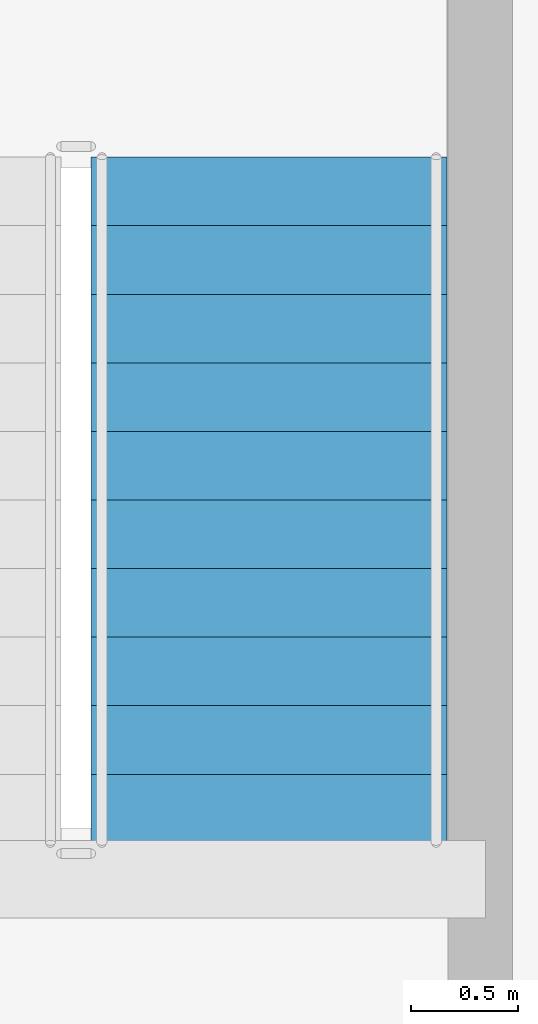
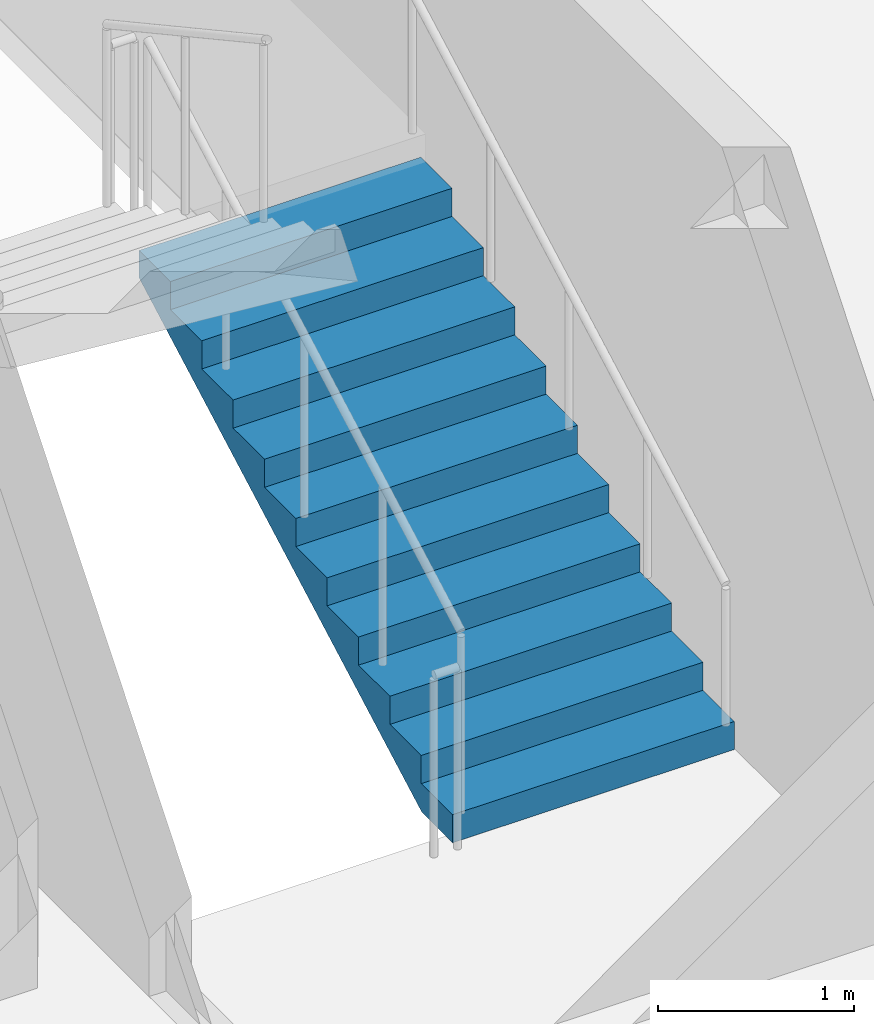
# One storey, part 20 of 21: 1 stair flight, 1 element without a shape of its own.
"""IFC4 building model written with IfcOpenShell, lengths in metres."""

from ifc_helpers import new_model, si_unit, direction, frame, origin, place, context, subcontext, project, spatial, polyline, outline, extrude, material, type_object, element, aggregate, save


model = new_model("IFC4")

# Units and contexts
model_context = context("Model", 3, precision=1e-05, world=origin(), true_north=direction((0.0, 1.0)))
body_context = subcontext(model_context, "Body", "Model", "MODEL_VIEW")
ifc_project = project(units=[si_unit("LENGTHUNIT", "METRE"), si_unit("AREAUNIT", "SQUARE_METRE"), si_unit("VOLUMEUNIT", "CUBIC_METRE"), si_unit("PLANEANGLEUNIT", "RADIAN"), si_unit("MASSUNIT", "GRAM", prefix="KILO")], contexts=[model_context])

# Site, building, storey
site_placement = place(None, origin())
site = spatial("IfcSite", under=ifc_project, at=site_placement, CompositionType="ELEMENT")
building_placement = place(site_placement, origin())
building = spatial("IfcBuilding", under=site, at=building_placement, Name="Kallvorn Hotel Tower", CompositionType="ELEMENT")
storey_placement = place(building_placement, frame((0.0, 0.0, 214.60009765625)))
storey = spatial("IfcBuildingStorey", under=building, at=storey_placement, Name="L53", CompositionType="ELEMENT", Elevation=214.60009765625)

# Stair, stair flight
ifc_material_1 = material(Name="Precast concrete C40/50", Category="concrete")
stair_type = type_object("IfcStairType", Name="STR_CORE_DOGLEG", PredefinedType="HALF_TURN_STAIR", material=ifc_material_1)
stair_placement = place(storey_placement, origin())
stair = element("IfcStair", 1, at=stair_placement, inside=storey, type_object=stair_type, Name="L53 Exit stair ST2", PredefinedType="HALF_TURN_STAIR")
ifc_material_2 = material(Name="Precast concrete C40/50", Category="concrete")
stair_flight_type = type_object("IfcStairFlightType", Name="FLT_CORE_1660", PredefinedType="STRAIGHT", material=ifc_material_2)
stair_flight_placement = place(storey_placement, frame((13.22998046875, -3.139892578125, 0.0), z_axis=(0.0, 0.0, 1.0), x_axis=(0.0, 1.0, 0.0)))
stair_flight = element("IfcStairFlight", 2, at=stair_flight_placement, type_object=stair_flight_type, Name="ST2 flight 1", NumberOfRisers=11, NumberOfTreads=10, PredefinedType="STRAIGHT", RiserHeight=0.175, TreadLength=0.32, context=body_context, shape_type="SweptSolid", body=[
    extrude(outline(polyline([(0.0, 0.0), (0.0, 0.175048828125), (0.320068359375, 0.175048828125), (0.320068359375, 0.35009765625), (0.639892578125, 0.35009765625), (0.639892578125, 0.52490234375), (0.9599609375, 0.52490234375), (0.9599609375, 0.699951171875), (1.280029296875, 0.699951171875), (1.280029296875, 0.875), (1.60009765625, 0.875), (1.60009765625, 1.050048828125), (1.919921875, 1.050048828125), (1.919921875, 1.22509765625), (2.239990234375, 1.22509765625), (2.239990234375, 1.39990234375), (2.56005859375, 1.39990234375), (2.56005859375, 1.574951171875), (2.8798828125, 1.574951171875), (2.8798828125, 1.75), (3.199951171875, 1.75), (3.199951171875, 1.925048828125), (3.199951171875, 1.5791015625), (0.3125, 0.0), (0.0, 0.0)])), frame((0.0, 0.830078125, 0.0), z_axis=(0.0, -1.0, 0.0), x_axis=(1.0, 0.0, 0.0)), (0.0, 0.0, 1.0), 1.659912109375),
])
aggregate(stair, [stair_flight])

save(model, "model.ifc")
